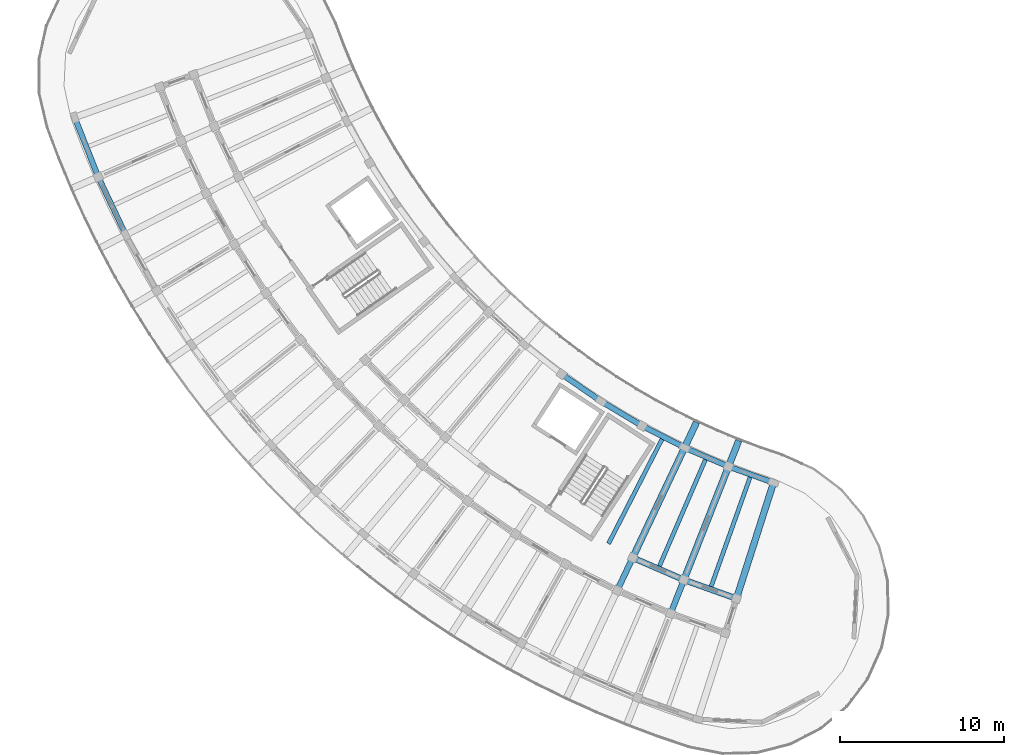
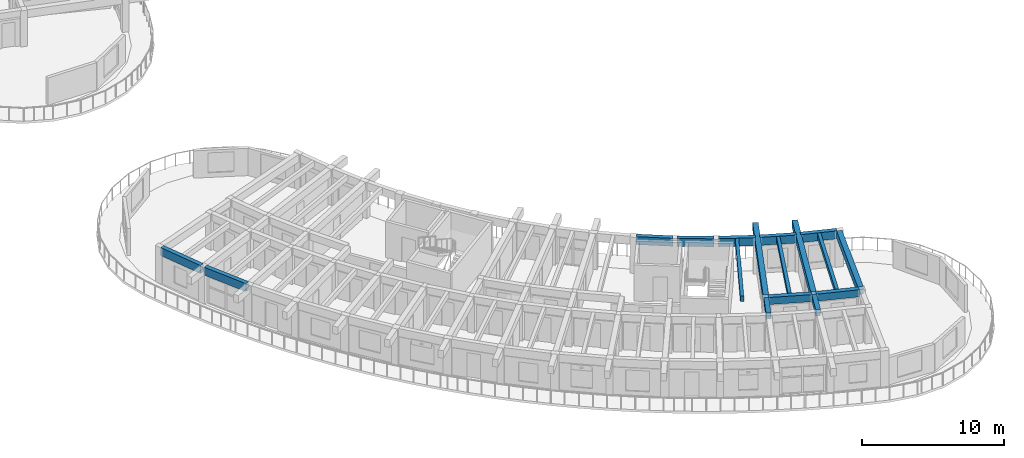
# One storey, part 9 of 83: 17 beams.
"""IFC4 building model written with IfcOpenShell, lengths in metres."""

import ifcopenshell
import ifcopenshell.guid

model = None  # the IFC model being written
_history = None  # IfcOwnerHistory: only IFC2X3 demands one
_inside = {}  # id of a spatial element -> (the spatial element, [elements in it])
_under = {}  # id of a project, library or spatial element -> (it, [spatial elements below it])
_declared = {}  # id of a project -> (the project, [libraries it declares])
_typed = {}  # id of a type object -> (the type object, [elements of that type])
_made_of = {}  # id of a material, layer set ... -> (it, [elements and type objects made of it])


def new_model(schema):
    """Start an empty IFC model of exactly this schema.

    Asked for "IFC4X3", IfcOpenShell would pick the latest addendum, in which some entities
    have other attributes; the version numbers below select the first issue.
    IFC2X3 requires an IfcOwnerHistory on every rooted entity: one is made here for all.
    """
    global model, _history
    if schema == "IFC4X3":
        model = ifcopenshell.file(schema_version=(4, 3, 0, 0))
    else:
        model = ifcopenshell.file(schema=schema)
    _inside.clear()
    _under.clear()
    _declared.clear()
    _typed.clear()
    _made_of.clear()
    _history = None
    if model.schema == "IFC2X3":
        org = make("IfcOrganization", Name="unknown")
        user = make(
            "IfcPersonAndOrganization",
            ThePerson=make("IfcPerson", FamilyName="unknown"),
            TheOrganization=org,
        )
        app = make(
            "IfcApplication",
            ApplicationDeveloper=org,
            Version="unknown",
            ApplicationFullName="unknown",
            ApplicationIdentifier="unknown",
        )
        _history = make(
            "IfcOwnerHistory",
            OwningUser=user,
            OwningApplication=app,
            ChangeAction="ADDED",
            CreationDate=0,
        )
    return model


def make(cls, **values):
    """One entity of the class cls with the attributes given. An attribute that is None is left unset."""
    return model.create_entity(
        cls, **{name: value for name, value in values.items() if value is not None}
    )


def rooted(cls, **values):
    """An entity with a GlobalId (a new one), such as an element, a storey or a relation."""
    return make(cls, GlobalId=ifcopenshell.guid.new(), OwnerHistory=_history, **values)


def si_unit(unit_type, name, prefix=None):
    """IfcSIUnit, for example si_unit("LENGTHUNIT", "METRE", prefix="MILLI")."""
    return make("IfcSIUnit", UnitType=unit_type, Prefix=prefix, Name=name)


def assignment(units):
    """IfcUnitAssignment: the units of a project."""
    return None if units is None else make("IfcUnitAssignment", Units=units)


def point(xyz):
    """IfcCartesianPoint."""
    return None if xyz is None else make("IfcCartesianPoint", Coordinates=xyz)


def direction(xyz):
    """IfcDirection."""
    return None if xyz is None else make("IfcDirection", DirectionRatios=xyz)


def frame(location, z_axis=None, x_axis=None):
    """IfcAxis2Placement3D, a coordinate frame: its origin and axes. An axis left out is left unset."""
    return make(
        "IfcAxis2Placement3D",
        Location=point(location),
        Axis=direction(z_axis),
        RefDirection=direction(x_axis),
    )


def frame_2d(location, x_axis=None):
    """IfcAxis2Placement2D, a coordinate frame in the plane: its origin and x axis."""
    return make(
        "IfcAxis2Placement2D", Location=point(location), RefDirection=direction(x_axis)
    )


def origin():
    """The frame at (0, 0, 0) with its axes left unset."""
    return frame((0.0, 0.0, 0.0))


def origin_2d():
    """The frame at (0, 0) in the plane with its x axis left unset."""
    return frame_2d((0.0, 0.0))


def place(relative_to, where):
    """IfcLocalPlacement: puts the frame where relative to a parent placement (None: the world)."""
    return make(
        "IfcLocalPlacement", PlacementRelTo=relative_to, RelativePlacement=where
    )


def context(
    kind, dimensions, precision=None, world=None, true_north=None, identifier=None
):
    """IfcGeometricRepresentationContext, for example the 3D "Model" context."""
    return make(
        "IfcGeometricRepresentationContext",
        ContextIdentifier=identifier,
        ContextType=kind,
        CoordinateSpaceDimension=dimensions,
        Precision=precision,
        WorldCoordinateSystem=world,
        TrueNorth=true_north,
    )


def subcontext(parent, identifier, kind, view, scale=None):
    """IfcGeometricRepresentationSubContext, for example "Body" below "Model"."""
    return make(
        "IfcGeometricRepresentationSubContext",
        ContextIdentifier=identifier,
        ContextType=kind,
        ParentContext=parent,
        TargetScale=scale,
        TargetView=view,
    )


def project(units=None, contexts=None):
    """IfcProject with its units and contexts."""
    return rooted(
        "IfcProject",
        Name="project",
        RepresentationContexts=contexts,
        UnitsInContext=assignment(units),
    )


def spatial(cls, under=None, at=None, **own):
    """A site, building, storey or space (cls), placed at a placement, below another one or the project."""
    s = rooted(cls, ObjectPlacement=at, **own)
    if under is not None:
        _under.setdefault(under.id(), (under, []))[1].append(s)
    return s


def profile(cls, at=None, kind="AREA", **sizes):
    """A parametric profile (cls). Its sizes go by their IFC names, for example OverallWidth=200.0."""
    return make(cls, ProfileType=kind, Position=at, **sizes)


def rectangle(**sizes):
    """IfcRectangleProfileDef."""
    return profile("IfcRectangleProfileDef", **sizes)


def extrude(swept, where, along, depth):
    """IfcExtrudedAreaSolid: the profile swept, set in the frame where, extruded along a direction by depth."""
    return make(
        "IfcExtrudedAreaSolid",
        SweptArea=swept,
        Position=where,
        ExtrudedDirection=direction(along),
        Depth=depth,
    )


def shape(context_of_items, identifier, shape_type, items):
    """IfcShapeRepresentation: the items that make up one representation, for example the "Body"."""
    return make(
        "IfcShapeRepresentation",
        ContextOfItems=context_of_items,
        RepresentationIdentifier=identifier,
        RepresentationType=shape_type,
        Items=items,
    )


def material(Name=None, Category=None):
    """IfcMaterial."""
    return make("IfcMaterial", Name=Name, Category=Category)


def material_profile(
    of_material, cross_section, Name=None, Category=None, Priority=None
):
    """IfcMaterialProfile: a cross section and its material."""
    return make(
        "IfcMaterialProfile",
        Name=Name,
        Material=of_material,
        Profile=cross_section,
        Priority=Priority,
        Category=Category,
    )


def profile_set(profiles, Name=None, composite=None):
    """IfcMaterialProfileSet."""
    return make(
        "IfcMaterialProfileSet",
        Name=Name,
        MaterialProfiles=profiles,
        CompositeProfile=composite,
    )


def made_of(thing, what):
    """Note that an element or type object is made of a material, layer set ...; save() writes the relation."""
    if what is not None:
        _made_of.setdefault(what.id(), (what, []))[1].append(thing)
    return thing


def type_object(cls, material=None, **own):
    """A type object (cls), such as IfcWallType, which elements share."""
    return made_of(rooted(cls, **own), material)


def element(
    cls,
    number,
    at=None,
    inside=None,
    cuts=None,
    type_object=None,
    material=None,
    context=None,
    identifier="Body",
    shape_type=None,
    held_by="IfcProductDefinitionShape",
    body=None,
    shapes=None,
    **own,
):
    """One element of the class cls, such as IfcWall. Its Tag is "e" and its number.

    at: its placement. inside: the storey or other place that contains it. cuts: it is an
    opening in that element (IfcRelVoidsElement). A single representation is given by context,
    identifier, shape_type and body (its items); several are given by shapes. held_by: the class
    of the entity that holds the representations. save() writes the other relations.
    """
    e = rooted(cls, Tag="e%d" % number, ObjectPlacement=at, **own)
    if body is not None:
        shapes = [shape(context, identifier, shape_type, body)]
    if shapes is not None:
        e.Representation = make(held_by, Representations=shapes)
    if inside is not None:
        _inside.setdefault(inside.id(), (inside, []))[1].append(e)
    if cuts is not None:
        rooted(
            "IfcRelVoidsElement", RelatingBuildingElement=cuts, RelatedOpeningElement=e
        )
    if type_object is not None:
        _typed.setdefault(type_object.id(), (type_object, []))[1].append(e)
    return made_of(e, material)


def aggregate(whole, parts):
    """IfcRelAggregates: a whole, such as a stair, and the parts it consists of."""
    return rooted("IfcRelAggregates", RelatingObject=whole, RelatedObjects=parts)


def save(model, path):
    """Write the relations noted so far, then the file.

    IfcRelAggregates (storeys below a building ...), IfcRelContainedInSpatialStructure (elements
    in a storey), IfcRelDefinesByType, IfcRelAssociatesMaterial and IfcRelDeclares: one each for
    every whole, place, type object, material and project.
    """
    for whole, parts in _under.values():
        aggregate(whole, parts)
    for where, things in _inside.values():
        rooted(
            "IfcRelContainedInSpatialStructure",
            RelatedElements=things,
            RelatingStructure=where,
        )
    for kind, things in _typed.values():
        rooted("IfcRelDefinesByType", RelatedObjects=things, RelatingType=kind)
    for what, things in _made_of.values():
        rooted("IfcRelAssociatesMaterial", RelatedObjects=things, RelatingMaterial=what)
    for by, libraries in _declared.values():
        rooted("IfcRelDeclares", RelatingContext=by, RelatedDefinitions=libraries)
    model.write(path)


model = new_model("IFC4")

# Units and contexts
model_context = context("Model", 3, precision=1e-05, world=origin(), true_north=direction((0.0, 1.0)))
body_context = subcontext(model_context, "Body", "Model", "MODEL_VIEW")
ifc_project = project(units=[si_unit("LENGTHUNIT", "METRE"), si_unit("AREAUNIT", "SQUARE_METRE"), si_unit("VOLUMEUNIT", "CUBIC_METRE"), si_unit("PLANEANGLEUNIT", "RADIAN"), si_unit("MASSUNIT", "GRAM", prefix="KILO")], contexts=[model_context])

# Site, building, storey
site_placement = place(None, origin())
site = spatial("IfcSite", under=ifc_project, at=site_placement, CompositionType="ELEMENT")
building_placement = place(site_placement, origin())
building = spatial("IfcBuilding", under=site, at=building_placement, Name="Tanwirah Colonnade Gardens", CompositionType="ELEMENT")
storey_placement = place(building_placement, frame((0.0, 0.0, 25.639892578125)))
storey = spatial("IfcBuildingStorey", under=building, at=storey_placement, Name="L07", CompositionType="ELEMENT", Elevation=25.639892578125)

# Beams
ifc_material_1 = material(Name="Precast concrete C40/50", Category="concrete")
ifc_material_profile_1 = material_profile(ifc_material_1, rectangle(XDim=0.360107421875, YDim=0.610107421875, at=origin_2d()), Name="PC-BM 360x610")
ifc_profile_set_1 = profile_set([ifc_material_profile_1], Name="Precast concrete C40/50")
beam_type_1 = type_object("IfcBeamType", Name="BM-PC300", PredefinedType="BEAM", material=ifc_profile_set_1)
for number, where, z_axis, x_axis, name in (
    (1, (43.02001953125, 17.54443359375, 2.80517578125), (0.917936292782, -0.396727819032, 0.0), (0.396727819032, 0.917936292782, 0.0), "Block C L07 Circumferential Beam 13-R1"),
    (2, (46.13818359375, 16.20751953125, 2.80517578125), (0.941911444877, -0.335861325564, 0.0), (0.335861325564, 0.941911444877, 0.0), "Block C L07 Circumferential Beam 14-R1"),
):
    element("IfcBeam", number, at=place(storey_placement, frame(where, z_axis=z_axis, x_axis=x_axis)), inside=storey, type_object=beam_type_1, Name=name, PredefinedType="BEAM", context=body_context, shape_type="SweptSolid", body=[
        extrude(rectangle(XDim=0.360107421875, YDim=0.610107421875, at=origin_2d()), origin(), (0.0, 0.0, 1.0), 3.093017578125),
    ])
ifc_material_profile_2 = material_profile(ifc_material_1, rectangle(XDim=0.35009765625, YDim=0.550048828125, at=origin_2d()), Name="PC-BM 350x550")
ifc_profile_set_2 = profile_set([ifc_material_profile_2], Name="Precast concrete C40/50")
beam_type_2 = type_object("IfcBeamType", Name="BM-PC350A", PredefinedType="BEAM", material=ifc_profile_set_2)
beam_1_placement = place(storey_placement, frame((42.818359375, 17.46826171875, 2.835205078125), z_axis=(-0.426483812015, -0.904495195172, 0.0), x_axis=(0.904495195172, -0.426483812015, 0.0)))
element("IfcBeam", 3, at=beam_1_placement, inside=storey, type_object=beam_type_2, Name="Block C L07 Corridor Tie Beam 13", PredefinedType="BEAM", context=body_context, shape_type="SweptSolid", body=[
    extrude(rectangle(XDim=0.35009765625, YDim=0.550048828125, at=origin_2d()), origin(), (0.0, 0.0, 1.0), 1.89990234375),
])
beam_2_placement = place(storey_placement, frame((45.94189453125, 16.1181640625, 2.835205078125), z_axis=(-0.366511033969, -0.930413704746, 0.0), x_axis=(0.930413704746, -0.366511033969, 0.0)))
element("IfcBeam", 4, at=beam_2_placement, inside=storey, type_object=beam_type_2, Name="Block C L07 Corridor Tie Beam 14", PredefinedType="BEAM", context=body_context, shape_type="SweptSolid", body=[
    extrude(rectangle(XDim=0.35009765625, YDim=0.550048828125, at=origin_2d()), origin(), (0.0, 0.0, 1.0), 1.899658203125),
])
ifc_material_2 = material(Name="Precast concrete C45/55", Category="concrete")
ifc_material_profile_3 = material_profile(ifc_material_2, rectangle(XDim=0.39990234375, YDim=0.64990234375, at=origin_2d()), Name="PC-BM 400x650")
ifc_profile_set_3 = profile_set([ifc_material_profile_3], Name="Precast concrete C45/55")
beam_type_3 = type_object("IfcBeamType", Name="BM-PC400", PredefinedType="BEAM", material=ifc_profile_set_3)
for number, where, z_axis, x_axis, name in (
    (5, (42.9462890625, 17.73974609375, 2.78515625), (0.426582468098, 0.904448670689, 0.0), (-0.904448670689, 0.426582468098, 0.0), "Block C L07 Inner Radial Precast Girder 13"),
    (6, (46.052001953125, 16.3974609375, 2.78515625), (0.36648945479, 0.930422204984, 0.0), (-0.930422204984, 0.36648945479, 0.0), "Block C L07 Inner Radial Precast Girder 14"),
):
    element("IfcBeam", number, at=place(storey_placement, frame(where, z_axis=z_axis, x_axis=x_axis)), inside=storey, type_object=beam_type_3, Name=name, PredefinedType="BEAM", context=body_context, shape_type="SweptSolid", body=[
        extrude(rectangle(XDim=0.39990234375, YDim=0.64990234375, at=origin_2d()), origin(), (0.0, 0.0, 1.0), 8.949951171875),
    ])
beam_3_placement = place(storey_placement, frame((49.238525390625, 15.26123046875, 2.78515625), z_axis=(0.304868054367, 0.952394597542, 0.0), x_axis=(-0.952394597542, 0.304868054367, 0.0)))
element("IfcBeam", 7, at=beam_3_placement, inside=storey, type_object=beam_type_3, Name="Block C L07 Inner Radial Precast Girder 15", PredefinedType="BEAM", context=body_context, shape_type="SweptSolid", body=[
    extrude(rectangle(XDim=0.39990234375, YDim=0.64990234375, at=origin_2d()), origin(), (0.0, 0.0, 1.0), 7.099853515625),
])
ifc_material_profile_4 = material_profile(ifc_material_1, rectangle(XDim=0.25, YDim=0.449951171875, at=origin_2d()), Name="PC-JST 250x450")
ifc_profile_set_4 = profile_set([ifc_material_profile_4], Name="Precast concrete C40/50")
beam_type_4 = type_object("IfcBeamType", Name="JST-PC250", PredefinedType="JOIST", material=ifc_profile_set_4)
for number, where, z_axis, x_axis, name in (
    (8, (44.678955078125, 24.83203125, 2.885009765625), (-0.455921327553, -0.890020080157, 0.0), (0.890020080157, -0.455921327553, 0.0), "Block C L07 Inner Precast Floor Joist 12"),
    (9, (47.31689453125, 23.587890625, 2.885009765625), (-0.396736454079, -0.917932560706, 0.0), (0.917932560706, -0.396736454079, 0.0), "Block C L07 Inner Precast Floor Joist 13"),
):
    element("IfcBeam", number, at=place(storey_placement, frame(where, z_axis=z_axis, x_axis=x_axis)), inside=storey, type_object=beam_type_4, Name=name, PredefinedType="JOIST", context=body_context, shape_type="SweptSolid", body=[
        extrude(rectangle(XDim=0.25, YDim=0.449951171875, at=origin_2d()), origin(), (0.0, 0.0, 1.0), 7.159912109375),
    ])
beam_4_placement = place(storey_placement, frame((50.030517578125, 22.51904296875, 2.885009765625), z_axis=(-0.335861148107, -0.941911508154, 0.0), x_axis=(0.941911508154, -0.335861148107, 0.0)))
element("IfcBeam", 10, at=beam_4_placement, inside=storey, type_object=beam_type_4, Name="Block C L07 Inner Precast Floor Joist 14", PredefinedType="JOIST", context=body_context, shape_type="SweptSolid", body=[
    extrude(rectangle(XDim=0.25, YDim=0.449951171875, at=origin_2d()), origin(), (0.0, 0.0, 1.0), 7.16015625),
])
ifc_material_profile_5 = material_profile(ifc_material_1, rectangle(XDim=0.330078125, YDim=0.68994140625, at=origin_2d()), Name="PC-SP 330x690")
ifc_profile_set_5 = profile_set([ifc_material_profile_5], Name="Precast concrete C40/50")
beam_type_5 = type_object("IfcBeamType", Name="SP-PC280", PredefinedType="SPANDREL", material=ifc_profile_set_5)
for number, where, z_axis, x_axis, name in (
    (11, (9.00830078125, 44.237548828125, 2.76513671875), (0.368521552478, -0.929619204491, 0.0), (0.929619204491, 0.368521552478, 0.0), "Block C L07 Circumferential Beam 1-R3"),
    (12, (10.453369140625, 40.618896484375, 2.76513671875), (0.428518139447, -0.903533178231, 0.0), (0.903533178231, 0.428518139447, 0.0), "Block C L07 Circumferential Beam 2-R3"),
):
    element("IfcBeam", number, at=place(storey_placement, frame(where, z_axis=z_axis, x_axis=x_axis)), inside=storey, type_object=beam_type_5, Name=name, PredefinedType="SPANDREL", context=body_context, shape_type="SweptSolid", body=[
        extrude(rectangle(XDim=0.330078125, YDim=0.68994140625, at=origin_2d()), origin(), (0.0, 0.0, 1.0), 3.5966796875),
    ])
beam_5_placement = place(storey_placement, frame((38.68359375, 28.683349609375, 2.76513671875), z_axis=(0.822868771031, -0.568231454305, 0.0), x_axis=(0.568231454305, 0.822868771031, 0.0)))
element("IfcBeam", 13, at=beam_5_placement, inside=storey, type_object=beam_type_5, Name="Block C L07 Circumferential Beam 10-R0", PredefinedType="SPANDREL", context=body_context, shape_type="SweptSolid", body=[
    extrude(rectangle(XDim=0.330078125, YDim=0.68994140625, at=origin_2d()), origin(), (0.0, 0.0, 1.0), 2.60888671875),
])
for number, where, z_axis, x_axis, name in (
    (14, (41.08251953125, 27.038818359375, 2.76513671875), (0.858301131151, -0.513146341958, 0.0), (0.513146341958, 0.858301131151, 0.0), "Block C L07 Circumferential Beam 11-R0"),
    (15, (43.583740234375, 25.5546875, 2.76513671875), (0.890042438658, -0.455877678097, 0.0), (0.455877678097, 0.890042438658, 0.0), "Block C L07 Circumferential Beam 12-R0"),
    (16, (46.1767578125, 24.237548828125, 2.76513671875), (0.917901260915, -0.396808864833, 0.0), (0.396808864833, 0.917901260915, 0.0), "Block C L07 Circumferential Beam 13-R0"),
    (17, (48.850341796875, 23.092529296875, 2.76513671875), (0.941898499992, -0.335897626835, 0.0), (0.335897626835, 0.941898499992, 0.0), "Block C L07 Circumferential Beam 14-R0"),
):
    element("IfcBeam", number, at=place(storey_placement, frame(where, z_axis=z_axis, x_axis=x_axis)), inside=storey, type_object=beam_type_5, Name=name, PredefinedType="SPANDREL", context=body_context, shape_type="SweptSolid", body=[
        extrude(rectangle(XDim=0.330078125, YDim=0.68994140625, at=origin_2d()), origin(), (0.0, 0.0, 1.0), 2.608642578125),
    ])

save(model, "model.ifc")
